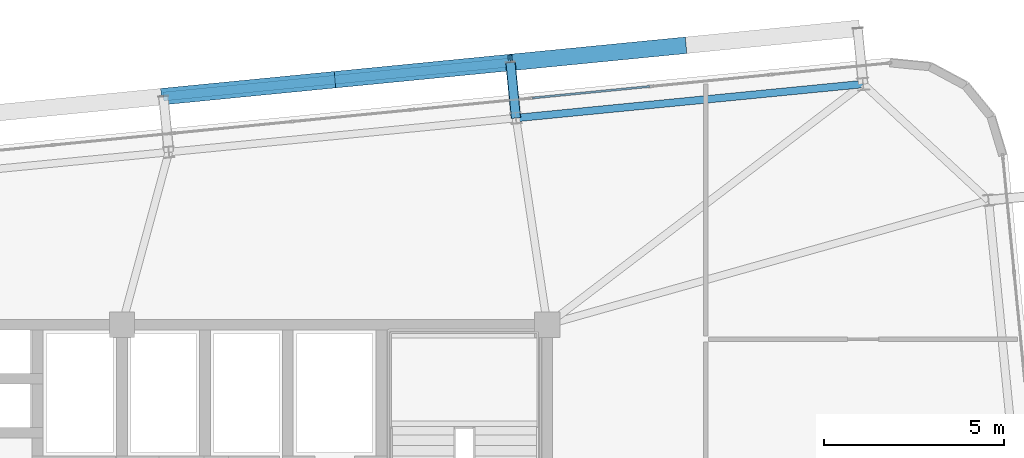
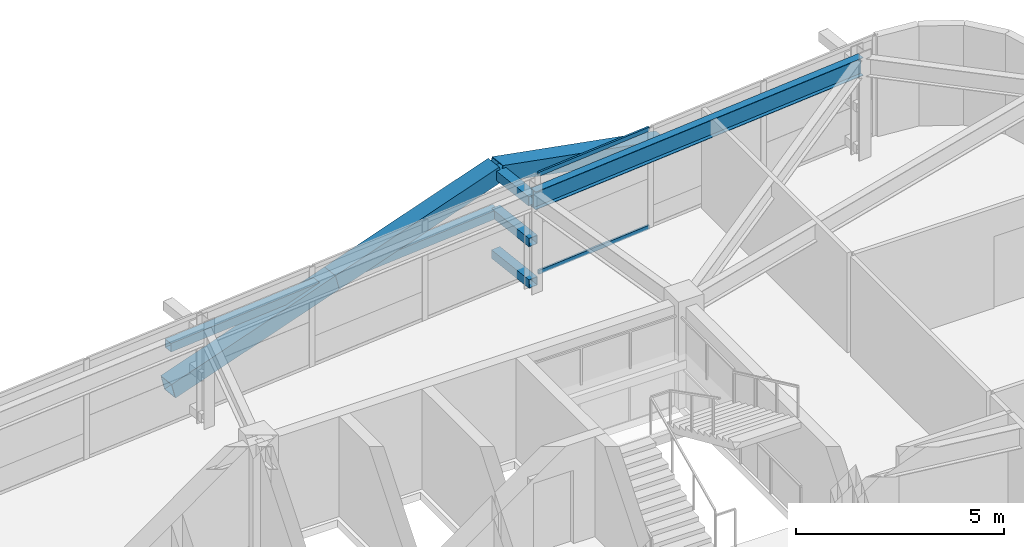
# One storey, part 32 of 52: 9 members, 1 beam, 1 element without a shape of its own.
"""IFC4 building model written with IfcOpenShell, lengths in metres."""

import ifcopenshell
import ifcopenshell.guid

model = None  # the IFC model being written
_history = None  # IfcOwnerHistory: only IFC2X3 demands one
_inside = {}  # id of a spatial element -> (the spatial element, [elements in it])
_under = {}  # id of a project, library or spatial element -> (it, [spatial elements below it])
_declared = {}  # id of a project -> (the project, [libraries it declares])
_typed = {}  # id of a type object -> (the type object, [elements of that type])
_made_of = {}  # id of a material, layer set ... -> (it, [elements and type objects made of it])


def new_model(schema):
    """Start an empty IFC model of exactly this schema.

    Asked for "IFC4X3", IfcOpenShell would pick the latest addendum, in which some entities
    have other attributes; the version numbers below select the first issue.
    IFC2X3 requires an IfcOwnerHistory on every rooted entity: one is made here for all.
    """
    global model, _history
    if schema == "IFC4X3":
        model = ifcopenshell.file(schema_version=(4, 3, 0, 0))
    else:
        model = ifcopenshell.file(schema=schema)
    _inside.clear()
    _under.clear()
    _declared.clear()
    _typed.clear()
    _made_of.clear()
    _history = None
    if model.schema == "IFC2X3":
        org = make("IfcOrganization", Name="unknown")
        user = make(
            "IfcPersonAndOrganization",
            ThePerson=make("IfcPerson", FamilyName="unknown"),
            TheOrganization=org,
        )
        app = make(
            "IfcApplication",
            ApplicationDeveloper=org,
            Version="unknown",
            ApplicationFullName="unknown",
            ApplicationIdentifier="unknown",
        )
        _history = make(
            "IfcOwnerHistory",
            OwningUser=user,
            OwningApplication=app,
            ChangeAction="ADDED",
            CreationDate=0,
        )
    return model


def make(cls, **values):
    """One entity of the class cls with the attributes given. An attribute that is None is left unset."""
    return model.create_entity(
        cls, **{name: value for name, value in values.items() if value is not None}
    )


def rooted(cls, **values):
    """An entity with a GlobalId (a new one), such as an element, a storey or a relation."""
    return make(cls, GlobalId=ifcopenshell.guid.new(), OwnerHistory=_history, **values)


def si_unit(unit_type, name, prefix=None):
    """IfcSIUnit, for example si_unit("LENGTHUNIT", "METRE", prefix="MILLI")."""
    return make("IfcSIUnit", UnitType=unit_type, Prefix=prefix, Name=name)


def assignment(units):
    """IfcUnitAssignment: the units of a project."""
    return None if units is None else make("IfcUnitAssignment", Units=units)


def point(xyz):
    """IfcCartesianPoint."""
    return None if xyz is None else make("IfcCartesianPoint", Coordinates=xyz)


def direction(xyz):
    """IfcDirection."""
    return None if xyz is None else make("IfcDirection", DirectionRatios=xyz)


def frame(location, z_axis=None, x_axis=None):
    """IfcAxis2Placement3D, a coordinate frame: its origin and axes. An axis left out is left unset."""
    return make(
        "IfcAxis2Placement3D",
        Location=point(location),
        Axis=direction(z_axis),
        RefDirection=direction(x_axis),
    )


def frame_2d(location, x_axis=None):
    """IfcAxis2Placement2D, a coordinate frame in the plane: its origin and x axis."""
    return make(
        "IfcAxis2Placement2D", Location=point(location), RefDirection=direction(x_axis)
    )


def origin():
    """The frame at (0, 0, 0) with its axes left unset."""
    return frame((0.0, 0.0, 0.0))


def origin_2d():
    """The frame at (0, 0) in the plane with its x axis left unset."""
    return frame_2d((0.0, 0.0))


def place(relative_to, where):
    """IfcLocalPlacement: puts the frame where relative to a parent placement (None: the world)."""
    return make(
        "IfcLocalPlacement", PlacementRelTo=relative_to, RelativePlacement=where
    )


def context(
    kind, dimensions, precision=None, world=None, true_north=None, identifier=None
):
    """IfcGeometricRepresentationContext, for example the 3D "Model" context."""
    return make(
        "IfcGeometricRepresentationContext",
        ContextIdentifier=identifier,
        ContextType=kind,
        CoordinateSpaceDimension=dimensions,
        Precision=precision,
        WorldCoordinateSystem=world,
        TrueNorth=true_north,
    )


def subcontext(parent, identifier, kind, view, scale=None):
    """IfcGeometricRepresentationSubContext, for example "Body" below "Model"."""
    return make(
        "IfcGeometricRepresentationSubContext",
        ContextIdentifier=identifier,
        ContextType=kind,
        ParentContext=parent,
        TargetScale=scale,
        TargetView=view,
    )


def project(units=None, contexts=None):
    """IfcProject with its units and contexts."""
    return rooted(
        "IfcProject",
        Name="project",
        RepresentationContexts=contexts,
        UnitsInContext=assignment(units),
    )


def spatial(cls, under=None, at=None, **own):
    """A site, building, storey or space (cls), placed at a placement, below another one or the project."""
    s = rooted(cls, ObjectPlacement=at, **own)
    if under is not None:
        _under.setdefault(under.id(), (under, []))[1].append(s)
    return s


def profile(cls, at=None, kind="AREA", **sizes):
    """A parametric profile (cls). Its sizes go by their IFC names, for example OverallWidth=200.0."""
    return make(cls, ProfileType=kind, Position=at, **sizes)


def hollow_rectangle(**sizes):
    """IfcRectangleHollowProfileDef."""
    return profile("IfcRectangleHollowProfileDef", **sizes)


def i_section(**sizes):
    """IfcIShapeProfileDef."""
    return profile("IfcIShapeProfileDef", **sizes)


def extrude(swept, where, along, depth):
    """IfcExtrudedAreaSolid: the profile swept, set in the frame where, extruded along a direction by depth."""
    return make(
        "IfcExtrudedAreaSolid",
        SweptArea=swept,
        Position=where,
        ExtrudedDirection=direction(along),
        Depth=depth,
    )


def shape(context_of_items, identifier, shape_type, items):
    """IfcShapeRepresentation: the items that make up one representation, for example the "Body"."""
    return make(
        "IfcShapeRepresentation",
        ContextOfItems=context_of_items,
        RepresentationIdentifier=identifier,
        RepresentationType=shape_type,
        Items=items,
    )


def source(mapping_origin, context_of_items, identifier, shape_type, items):
    """IfcRepresentationMap: a shape defined once, which mapped items show again and again."""
    return make(
        "IfcRepresentationMap",
        MappingOrigin=mapping_origin,
        MappedRepresentation=shape(context_of_items, identifier, shape_type, items),
    )


def transform(
    local_origin,
    x_axis=None,
    y_axis=None,
    z_axis=None,
    scale=None,
    scale2=None,
    scale3=None,
    uniform=True,
):
    """IfcCartesianTransformationOperator3D, or its non-uniform kind. x_axis, y_axis, z_axis: its Axis1, 2, 3."""
    if uniform:
        return make(
            "IfcCartesianTransformationOperator3D",
            Axis1=direction(x_axis),
            Axis2=direction(y_axis),
            LocalOrigin=point(local_origin),
            Scale=scale,
            Axis3=direction(z_axis),
        )
    return make(
        "IfcCartesianTransformationOperator3DnonUniform",
        Axis1=direction(x_axis),
        Axis2=direction(y_axis),
        LocalOrigin=point(local_origin),
        Scale=scale,
        Axis3=direction(z_axis),
        Scale2=scale2,
        Scale3=scale3,
    )


def mapped(mapping_source, mapping_target):
    """IfcMappedItem: shows the shape of a source again, moved by a transform."""
    return make(
        "IfcMappedItem", MappingSource=mapping_source, MappingTarget=mapping_target
    )


def material(Name=None, Category=None):
    """IfcMaterial."""
    return make("IfcMaterial", Name=Name, Category=Category)


def layer(
    of_material, thickness, ventilated=None, Name=None, Category=None, Priority=None
):
    """IfcMaterialLayer: one layer of a wall or slab, of a material (None: an air gap)."""
    return make(
        "IfcMaterialLayer",
        Material=of_material,
        LayerThickness=thickness,
        IsVentilated=ventilated,
        Name=Name,
        Category=Category,
        Priority=Priority,
    )


def layer_set(layers, Name=None):
    """IfcMaterialLayerSet."""
    return make("IfcMaterialLayerSet", MaterialLayers=layers, LayerSetName=Name)


def material_profile(
    of_material, cross_section, Name=None, Category=None, Priority=None
):
    """IfcMaterialProfile: a cross section and its material."""
    return make(
        "IfcMaterialProfile",
        Name=Name,
        Material=of_material,
        Profile=cross_section,
        Priority=Priority,
        Category=Category,
    )


def profile_set(profiles, Name=None, composite=None):
    """IfcMaterialProfileSet."""
    return make(
        "IfcMaterialProfileSet",
        Name=Name,
        MaterialProfiles=profiles,
        CompositeProfile=composite,
    )


def made_of(thing, what):
    """Note that an element or type object is made of a material, layer set ...; save() writes the relation."""
    if what is not None:
        _made_of.setdefault(what.id(), (what, []))[1].append(thing)
    return thing


def type_object(cls, material=None, **own):
    """A type object (cls), such as IfcWallType, which elements share."""
    return made_of(rooted(cls, **own), material)


def element(
    cls,
    number,
    at=None,
    inside=None,
    cuts=None,
    type_object=None,
    material=None,
    context=None,
    identifier="Body",
    shape_type=None,
    held_by="IfcProductDefinitionShape",
    body=None,
    shapes=None,
    **own,
):
    """One element of the class cls, such as IfcWall. Its Tag is "e" and its number.

    at: its placement. inside: the storey or other place that contains it. cuts: it is an
    opening in that element (IfcRelVoidsElement). A single representation is given by context,
    identifier, shape_type and body (its items); several are given by shapes. held_by: the class
    of the entity that holds the representations. save() writes the other relations.
    """
    e = rooted(cls, Tag="e%d" % number, ObjectPlacement=at, **own)
    if body is not None:
        shapes = [shape(context, identifier, shape_type, body)]
    if shapes is not None:
        e.Representation = make(held_by, Representations=shapes)
    if inside is not None:
        _inside.setdefault(inside.id(), (inside, []))[1].append(e)
    if cuts is not None:
        rooted(
            "IfcRelVoidsElement", RelatingBuildingElement=cuts, RelatedOpeningElement=e
        )
    if type_object is not None:
        _typed.setdefault(type_object.id(), (type_object, []))[1].append(e)
    return made_of(e, material)


def aggregate(whole, parts):
    """IfcRelAggregates: a whole, such as a stair, and the parts it consists of."""
    return rooted("IfcRelAggregates", RelatingObject=whole, RelatedObjects=parts)


def save(model, path):
    """Write the relations noted so far, then the file.

    IfcRelAggregates (storeys below a building ...), IfcRelContainedInSpatialStructure (elements
    in a storey), IfcRelDefinesByType, IfcRelAssociatesMaterial and IfcRelDeclares: one each for
    every whole, place, type object, material and project.
    """
    for whole, parts in _under.values():
        aggregate(whole, parts)
    for where, things in _inside.values():
        rooted(
            "IfcRelContainedInSpatialStructure",
            RelatedElements=things,
            RelatingStructure=where,
        )
    for kind, things in _typed.values():
        rooted("IfcRelDefinesByType", RelatedObjects=things, RelatingType=kind)
    for what, things in _made_of.values():
        rooted("IfcRelAssociatesMaterial", RelatedObjects=things, RelatingMaterial=what)
    for by, libraries in _declared.values():
        rooted("IfcRelDeclares", RelatingContext=by, RelatedDefinitions=libraries)
    model.write(path)


model = new_model("IFC4")

# Units and contexts
model_context = context("Model", 3, precision=1e-05, world=origin(), true_north=direction((0.0, 1.0)))
body_context = subcontext(model_context, "Body", "Model", "MODEL_VIEW")
ifc_project = project(units=[si_unit("LENGTHUNIT", "METRE"), si_unit("AREAUNIT", "SQUARE_METRE"), si_unit("VOLUMEUNIT", "CUBIC_METRE"), si_unit("PLANEANGLEUNIT", "RADIAN"), si_unit("MASSUNIT", "GRAM", prefix="KILO")], contexts=[model_context])

# Site, building, storey
site_placement = place(None, origin())
site = spatial("IfcSite", under=ifc_project, at=site_placement, CompositionType="ELEMENT")
building_placement = place(site_placement, origin())
building = spatial("IfcBuilding", under=site, at=building_placement, Name="Taldren Reach Tower", CompositionType="ELEMENT")
storey_placement = place(building_placement, frame((0.0, 0.0, 96.60009765625)))
storey = spatial("IfcBuildingStorey", under=building, at=storey_placement, Name="L29", CompositionType="ELEMENT", Elevation=96.60009765625)

# Members
ifc_material_1 = material(Name="Steel Gr 450 (C450L0)", Category="steel")
ifc_material_profile_1 = material_profile(ifc_material_1, hollow_rectangle(XDim=0.27490234375, YDim=0.27490234375, WallThickness=0.00927734375, at=origin_2d()), Name="275x275x9.3SHS")
ifc_profile_set_1 = profile_set([ifc_material_profile_1], Name="Steel Gr 450 (C450L0)")
member_type_1 = type_object("IfcMemberType", Name="MB-TIE273", PredefinedType="STRUT", material=ifc_profile_set_1)
shared_shape_1 = source(origin(), body_context, "Body", "SweptSolid", [
    extrude(hollow_rectangle(XDim=0.27490234375, YDim=0.27490234375, WallThickness=0.00927734375, at=origin_2d()), origin(), (0.0, 0.0, 1.0), 1.5498046875),
])
member_1_placement = place(storey_placement, frame((50.132080078125, 37.7353515625, 2.64990234375), z_axis=(-0.097663201064, 0.995219523099, 0.0), x_axis=(-0.995219523099, -0.097663201064, 0.0)))
element("IfcMember", 1, at=member_1_placement, inside=storey, type_object=member_type_1, Name="Exoskeleton diaphragm tie strut B2-N5 L29", PredefinedType="STRUT", context=body_context, shape_type="MappedRepresentation", body=[
    mapped(shared_shape_1, transform((0.0, 0.0, 0.0), scale=1.0)),
])
ifc_material_2 = material(Name="Steel Gr 350 (C350L0)", Category="steel")
ifc_material_profile_2 = material_profile(ifc_material_2, hollow_rectangle(XDim=0.25, YDim=0.25, WallThickness=0.010009765625, at=origin_2d()), Name="250x250x10.0SHS")
ifc_profile_set_2 = profile_set([ifc_material_profile_2], Name="Steel Gr 350 (C350L0)")
member_type_2 = type_object("IfcMemberType", Name="MB-POST250", PredefinedType="POST", material=ifc_profile_set_2)
shared_shape_2 = source(origin(), body_context, "Body", "SweptSolid", [
    extrude(hollow_rectangle(XDim=0.25, YDim=0.25, WallThickness=0.010009765625, at=origin_2d()), origin(), (0.0, 0.0, 1.0), 1.5498046875),
])
for number, where, z_axis, x_axis, name in (
    (2, (50.132080078125, 37.7353515625, 0.219970703125), (-0.097663201064, 0.995219523099, 0.0), (-0.995219523099, -0.097663201064, 0.0), "Exoskeleton base diaphragm tie strut B2-N5 L29"),
    (3, (50.132080078125, 37.7353515625, 1.434814453125), (-0.097663201064, 0.995219523099, 0.0), (-0.995219523099, -0.097663201064, 0.0), "Exoskeleton mid-tier diaphragm tie B2-N5 L29"),
):
    element("IfcMember", number, at=place(storey_placement, frame(where, z_axis=z_axis, x_axis=x_axis)), inside=storey, type_object=member_type_2, Name=name, PredefinedType="POST", context=body_context, shape_type="MappedRepresentation", body=[
        mapped(shared_shape_2, transform((0.0, 0.0, 0.0), scale=1.0)),
    ])

# Beam
ifc_material_3 = material(Name="Steel Gr 350 (350PLUS)", Category="steel")
ifc_material_profile_3 = material_profile(ifc_material_3, i_section(OverallWidth=0.208984375, OverallDepth=0.528076171875, WebThickness=0.009521484375, FlangeThickness=0.01318359375, at=origin_2d()), Name="530UB82.0")
ifc_profile_set_3 = profile_set([ifc_material_profile_3], Name="Steel Gr 350 (350PLUS)")
beam_type = type_object("IfcBeamType", Name="SP-UB530B", PredefinedType="SPANDREL", material=ifc_profile_set_3)
shared_shape_3 = source(origin(), body_context, "Body", "SweptSolid", [
    extrude(i_section(OverallWidth=0.208984375, OverallDepth=0.528076171875, WebThickness=0.009521484375, FlangeThickness=0.01318359375, at=origin_2d()), origin(), (0.0, 0.0, 1.0), 9.679931640625),
])
beam_placement = place(storey_placement, frame((59.765869140625, 38.679931640625, 2.666015625), z_axis=(-0.995227612658, -0.097580730699, 0.0), x_axis=(0.097580730699, -0.995227612658, 0.0)))
element("IfcBeam", 4, at=beam_placement, inside=storey, type_object=beam_type, Name="Perimeter spandrel B2 N6-N5 L29", PredefinedType="SPANDREL", context=body_context, shape_type="MappedRepresentation", body=[
    mapped(shared_shape_3, transform((0.0, 0.0, 0.0), scale=1.0)),
])

# Members
ifc_material_profile_4 = material_profile(ifc_material_1, hollow_rectangle(XDim=0.4599609375, YDim=0.4599609375, WallThickness=0.01611328125, at=origin_2d()), Name="460x460x16.0SHS")
ifc_profile_set_4 = profile_set([ifc_material_profile_4], Name="Steel Gr 450 (C450L0)")
member_type_3 = type_object("IfcMemberType", Name="MB-EXO457", PredefinedType="BRACE", material=ifc_profile_set_4)
shared_shape_4 = source(origin(), body_context, "Body", "SweptSolid", [
    extrude(hollow_rectangle(XDim=0.4599609375, YDim=0.4599609375, WallThickness=0.01611328125, at=origin_2d()), origin(), (0.0, 0.0, 1.0), 4.990234375),
])
for number, where, z_axis, x_axis, name in (
    (5, (40.346923828125, 38.333251953125, 0.219970703125), (0.965282554799, 0.094669120301, 0.243448859234), (-0.097605711627, 0.995225162995, 0.0), "Exoskeleton Diagrid Brace B2-N4 L29"),
    (6, (45.163818359375, 38.8056640625, 1.434814453125), (0.965275526283, 0.094619506732, 0.243496010862), (-0.097555749586, 0.995230061706, 0.0), "Exoskeleton Diagrid Brace B2-N4 L29"),
    (7, (54.797607421875, 39.750244140625, 1.434814453125), (-0.965271056716, -0.094667992638, 0.243494883389), (0.097605711627, -0.995225162995, 0.0), "Exoskeleton Diagrid Brace B2-N5 L29"),
):
    element("IfcMember", number, at=place(storey_placement, frame(where, z_axis=z_axis, x_axis=x_axis)), inside=storey, type_object=member_type_3, Name=name, PredefinedType="BRACE", context=body_context, shape_type="MappedRepresentation", body=[
        mapped(shared_shape_4, transform((0.0, 0.0, 0.0), scale=1.0)),
    ])
shared_shape_5 = source(origin(), body_context, "Body", "SweptSolid", [
    extrude(hollow_rectangle(XDim=0.25, YDim=0.25, WallThickness=0.010009765625, at=origin_2d()), origin(), (0.0, 0.0, 1.0), 9.679931640625),
])
member_2_placement = place(storey_placement, frame((40.346923828125, 38.333251953125, 1.434814453125), z_axis=(0.995227612658, 0.097580730699, 0.0), x_axis=(-0.097580730699, 0.995227612658, 0.0)))
element("IfcMember", 8, at=member_2_placement, inside=storey, type_object=member_type_2, Name="Exoskeleton mid-height ring chord B2-N4 L29", PredefinedType="POST", context=body_context, shape_type="MappedRepresentation", body=[
    mapped(shared_shape_5, transform((0.0, 0.0, 0.0), scale=1.0)),
])

# Curtain wall, members
ifc_material_4 = material(Name="Aluminium and Low-E Glass Unitised System", Category="aluminium")
ifc_layer = layer(ifc_material_4, 0.159912109375)
ifc_layer_set = layer_set([ifc_layer], Name="Aluminium and Low-E Glass Unitised System")
curtain_wall_type = type_object("IfcCurtainWallType", Name="CW-SYS-3", PredefinedType="NOTDEFINED", material=ifc_layer_set)
curtain_wall_placement = place(storey_placement, origin())
curtain_wall = element("IfcCurtainWall", 9, at=curtain_wall_placement, inside=storey, type_object=curtain_wall_type, Name="Unitised curtain wall CW-L29-N", PredefinedType="NOTDEFINED")
ifc_material_5 = material(Name="Anodised Aluminium 6063-T6", Category="aluminium")
ifc_material_profile_5 = material_profile(ifc_material_5, hollow_rectangle(XDim=0.054931640625, YDim=0.1201171875, WallThickness=0.0029296875, at=origin_2d()), Name="ALU-120x55x3RHS")
ifc_profile_set_5 = profile_set([ifc_material_profile_5], Name="Anodised Aluminium 6063-T6")
member_type_4 = type_object("IfcMemberType", Name="CW-TRN-135", PredefinedType="USERDEFINED", material=ifc_profile_set_5)
shared_shape_6 = source(origin(), body_context, "Body", "SweptSolid", [
    extrude(hollow_rectangle(XDim=0.054931640625, YDim=0.1201171875, WallThickness=0.0029296875, at=origin_2d()), origin(), (0.0, 0.0, 1.0), 3.268310546875),
])
member_3_placement = place(storey_placement, frame((53.844970703125, 38.61181640625, 0.02734375), z_axis=(-0.99522980512, -0.097558367146, 0.0), x_axis=(0.097558367146, -0.99522980512, 0.0)))
member_3 = element("IfcMember", 10, at=member_3_placement, type_object=member_type_4, Name="CW-3 transom 3.1", ObjectType="TRANSOM", PredefinedType="USERDEFINED", context=body_context, shape_type="MappedRepresentation", body=[
    mapped(shared_shape_6, transform((0.0, 0.0, 0.0), scale=1.0)),
])
member_4_placement = place(storey_placement, frame((53.844970703125, 38.61181640625, 2.90234375), z_axis=(-0.99522980512, -0.097558367146, 0.0), x_axis=(0.097558367146, -0.99522980512, 0.0)))
member_4 = element("IfcMember", 11, at=member_4_placement, type_object=member_type_4, Name="CW-3 transom 3.2", ObjectType="TRANSOM", PredefinedType="USERDEFINED", context=body_context, shape_type="MappedRepresentation", body=[
    mapped(shared_shape_6, transform((0.0, 0.0, 0.0), scale=1.0)),
])
aggregate(curtain_wall, [member_3, member_4])

save(model, "model.ifc")
